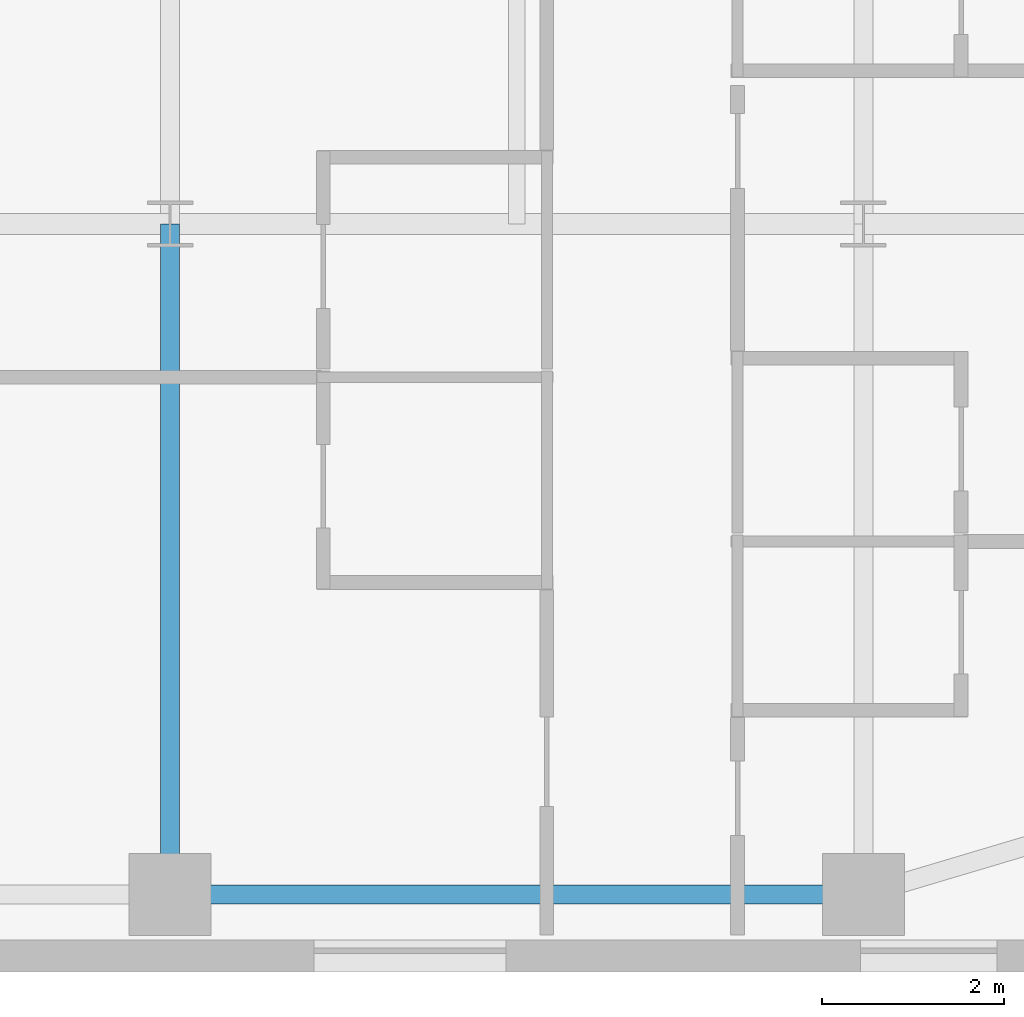
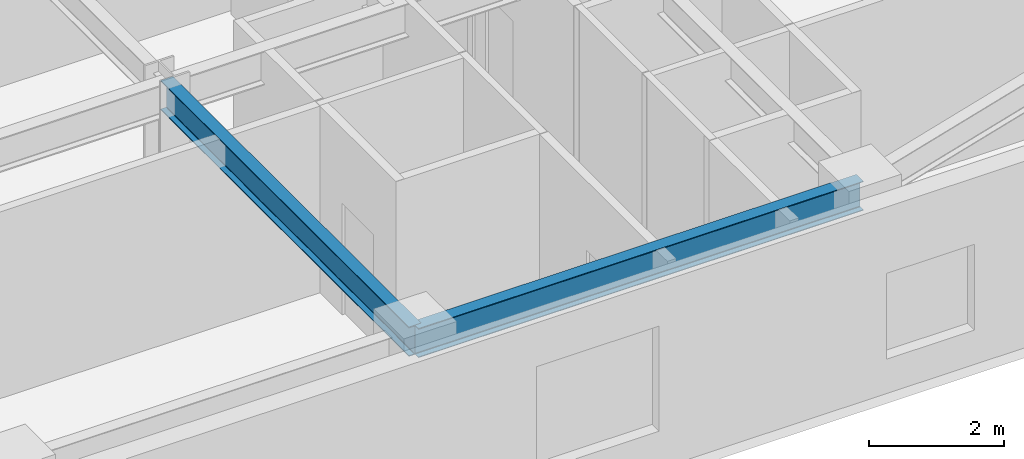
# One storey, part 6 of 17: 2 beams.
"""IFC4 building model written with IfcOpenShell, lengths in metres."""

from ifc_helpers import new_model, si_unit, direction, frame, origin, origin_2d, place, context, subcontext, project, spatial, i_section, extrude, source, transform, mapped, material, material_profile, profile_set, type_object, type_shapes, element, save


model = new_model("IFC4")

# Units and contexts
model_context = context("Model", 3, precision=1e-05, world=origin(), true_north=direction((0.0, 1.0)))
body_context = subcontext(model_context, "Body", "Model", "MODEL_VIEW")
ifc_project = project(units=[si_unit("LENGTHUNIT", "METRE"), si_unit("AREAUNIT", "SQUARE_METRE"), si_unit("VOLUMEUNIT", "CUBIC_METRE"), si_unit("PLANEANGLEUNIT", "RADIAN"), si_unit("MASSUNIT", "GRAM", prefix="KILO")], contexts=[model_context])

# Site, building, storey
site_placement = place(None, origin())
site = spatial("IfcSite", under=ifc_project, at=site_placement, CompositionType="ELEMENT")
building_placement = place(site_placement, origin())
building = spatial("IfcBuilding", under=site, at=building_placement, Name="Tolvann Quenvar Hotel", CompositionType="ELEMENT")
storey_placement = place(building_placement, frame((0.0, 0.0, 129.300048828125)))
storey = spatial("IfcBuildingStorey", under=building, at=storey_placement, Name="L33", CompositionType="ELEMENT", Elevation=129.300048828125)

# Beams
ifc_material = material(Name="Steel Grade 350", Category="steel")
ifc_material_profile_1 = material_profile(ifc_material, i_section(OverallWidth=0.208984375, OverallDepth=0.528076171875, WebThickness=0.009521484375, FlangeThickness=0.01318359375, FilletRadius=0.013916015625, at=origin_2d()), Name="530UB82")
ifc_profile_set_1 = profile_set([ifc_material_profile_1], Name="Steel Grade 350")
beam_type_1 = type_object("IfcBeamType", Name="BM_SPAND_530UB82", PredefinedType="SPANDREL", material=ifc_profile_set_1)
shared_shape_1 = source(origin(), body_context, "Body", "SweptSolid", [
    extrude(i_section(OverallWidth=0.208984375, OverallDepth=0.528076171875, WebThickness=0.009521484375, FlangeThickness=0.01318359375, FilletRadius=0.013916015625, at=origin_2d()), origin(), (0.0, 0.0, 1.0), 7.599853515625),
])
type_shapes(beam_type_1, [shared_shape_1])
beam_1_placement = place(storey_placement, frame((41.800048828125, 0.85009765625, 3.10595703125), z_axis=(1.0, 0.0, 0.0), x_axis=(0.0, 1.0, 0.0)))
element("IfcBeam", 1, at=beam_1_placement, inside=storey, type_object=beam_type_1, Name="BM-L33-EW-2-H2-I2", PredefinedType="SPANDREL", context=body_context, shape_type="MappedRepresentation", body=[
    mapped(shared_shape_1, transform((0.0, 0.0, 0.0), x_axis=(1.0, 0.0, 0.0), y_axis=(0.0, 1.0, 0.0), z_axis=(0.0, 0.0, 1.0), scale=1.0)),
])
ifc_material_profile_2 = material_profile(ifc_material, i_section(OverallWidth=0.208984375, OverallDepth=0.532958984375, WebThickness=0.01025390625, FlangeThickness=0.015625, FilletRadius=0.013916015625, at=origin_2d()), Name="530UB92")
ifc_profile_set_2 = profile_set([ifc_material_profile_2], Name="Steel Grade 350")
beam_type_2 = type_object("IfcBeamType", Name="BM_GIRD_530UB92", PredefinedType="BEAM", material=ifc_profile_set_2)
shared_shape_2 = source(origin(), body_context, "Body", "SweptSolid", [
    extrude(i_section(OverallWidth=0.208984375, OverallDepth=0.532958984375, WebThickness=0.01025390625, FlangeThickness=0.015625, FilletRadius=0.013916015625, at=origin_2d()), origin(), (0.0, 0.0, 1.0), 7.349853515625),
])
type_shapes(beam_type_2, [shared_shape_2])
beam_2_placement = place(storey_placement, frame((41.800048828125, 0.85009765625, 3.103515625), z_axis=(0.0, 1.0, 0.0), x_axis=(-1.0, 0.0, 0.0)))
element("IfcBeam", 2, at=beam_2_placement, inside=storey, type_object=beam_type_2, Name="BM-L33-NS-H2-H3", PredefinedType="BEAM", context=body_context, shape_type="MappedRepresentation", body=[
    mapped(shared_shape_2, transform((0.0, 0.0, 0.0), x_axis=(1.0, 0.0, 0.0), y_axis=(0.0, 1.0, 0.0), z_axis=(0.0, 0.0, 1.0), scale=1.0)),
])

save(model, "model.ifc")
